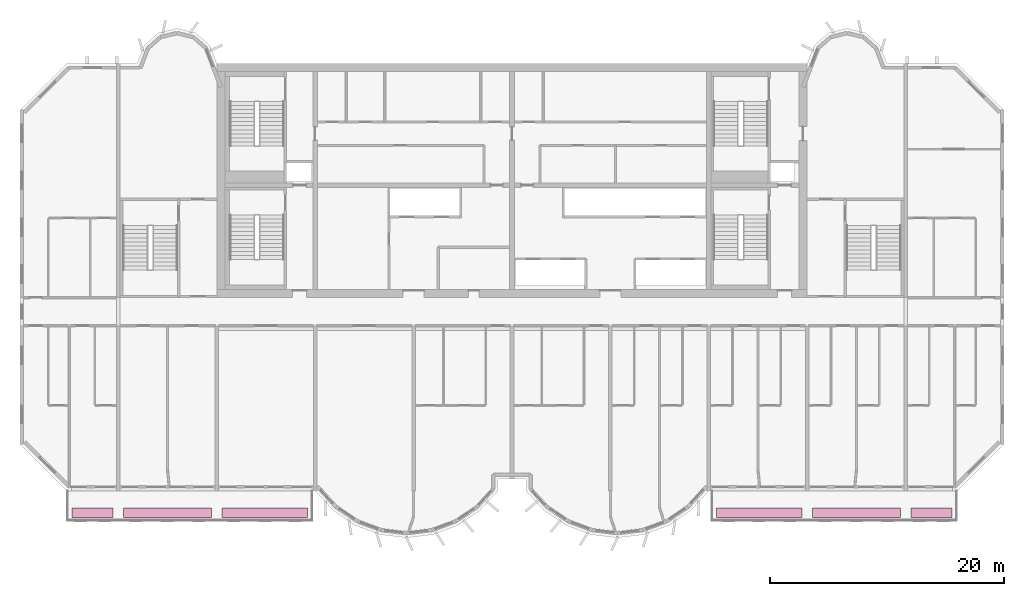
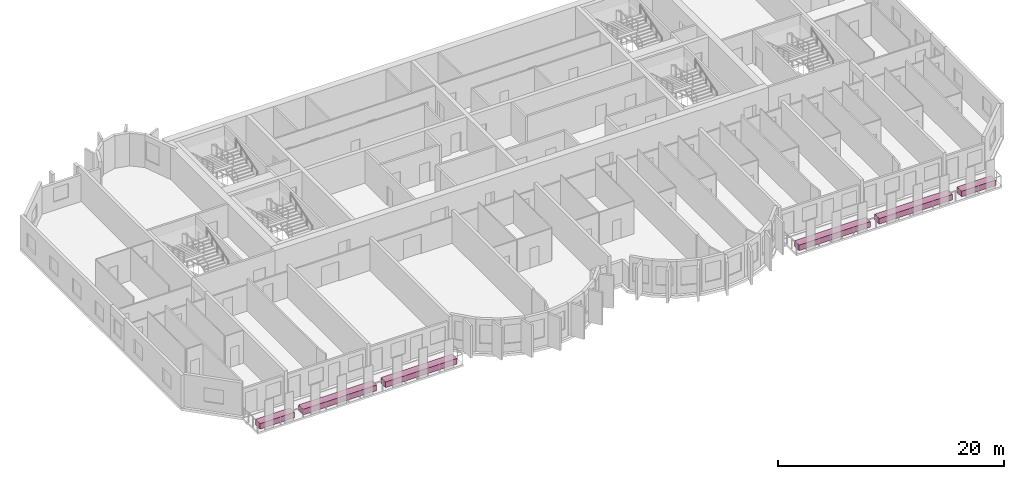
# One storey, part 13 of 13: 6 furniture elements.
"""IFC4 building model written with IfcOpenShell, lengths in metres."""

import ifcopenshell
import ifcopenshell.guid

model = None  # the IFC model being written
_history = None  # IfcOwnerHistory: only IFC2X3 demands one
_inside = {}  # id of a spatial element -> (the spatial element, [elements in it])
_under = {}  # id of a project, library or spatial element -> (it, [spatial elements below it])
_declared = {}  # id of a project -> (the project, [libraries it declares])
_typed = {}  # id of a type object -> (the type object, [elements of that type])
_made_of = {}  # id of a material, layer set ... -> (it, [elements and type objects made of it])


def new_model(schema):
    """Start an empty IFC model of exactly this schema.

    Asked for "IFC4X3", IfcOpenShell would pick the latest addendum, in which some entities
    have other attributes; the version numbers below select the first issue.
    IFC2X3 requires an IfcOwnerHistory on every rooted entity: one is made here for all.
    """
    global model, _history
    if schema == "IFC4X3":
        model = ifcopenshell.file(schema_version=(4, 3, 0, 0))
    else:
        model = ifcopenshell.file(schema=schema)
    _inside.clear()
    _under.clear()
    _declared.clear()
    _typed.clear()
    _made_of.clear()
    _history = None
    if model.schema == "IFC2X3":
        org = make("IfcOrganization", Name="unknown")
        user = make(
            "IfcPersonAndOrganization",
            ThePerson=make("IfcPerson", FamilyName="unknown"),
            TheOrganization=org,
        )
        app = make(
            "IfcApplication",
            ApplicationDeveloper=org,
            Version="unknown",
            ApplicationFullName="unknown",
            ApplicationIdentifier="unknown",
        )
        _history = make(
            "IfcOwnerHistory",
            OwningUser=user,
            OwningApplication=app,
            ChangeAction="ADDED",
            CreationDate=0,
        )
    return model


def make(cls, **values):
    """One entity of the class cls with the attributes given. An attribute that is None is left unset."""
    return model.create_entity(
        cls, **{name: value for name, value in values.items() if value is not None}
    )


def rooted(cls, **values):
    """An entity with a GlobalId (a new one), such as an element, a storey or a relation."""
    return make(cls, GlobalId=ifcopenshell.guid.new(), OwnerHistory=_history, **values)


def si_unit(unit_type, name, prefix=None):
    """IfcSIUnit, for example si_unit("LENGTHUNIT", "METRE", prefix="MILLI")."""
    return make("IfcSIUnit", UnitType=unit_type, Prefix=prefix, Name=name)


def assignment(units):
    """IfcUnitAssignment: the units of a project."""
    return None if units is None else make("IfcUnitAssignment", Units=units)


def point(xyz):
    """IfcCartesianPoint."""
    return None if xyz is None else make("IfcCartesianPoint", Coordinates=xyz)


def direction(xyz):
    """IfcDirection."""
    return None if xyz is None else make("IfcDirection", DirectionRatios=xyz)


def frame(location, z_axis=None, x_axis=None):
    """IfcAxis2Placement3D, a coordinate frame: its origin and axes. An axis left out is left unset."""
    return make(
        "IfcAxis2Placement3D",
        Location=point(location),
        Axis=direction(z_axis),
        RefDirection=direction(x_axis),
    )


def frame_2d(location, x_axis=None):
    """IfcAxis2Placement2D, a coordinate frame in the plane: its origin and x axis."""
    return make(
        "IfcAxis2Placement2D", Location=point(location), RefDirection=direction(x_axis)
    )


def origin():
    """The frame at (0, 0, 0) with its axes left unset."""
    return frame((0.0, 0.0, 0.0))


def origin_2d():
    """The frame at (0, 0) in the plane with its x axis left unset."""
    return frame_2d((0.0, 0.0))


def place(relative_to, where):
    """IfcLocalPlacement: puts the frame where relative to a parent placement (None: the world)."""
    return make(
        "IfcLocalPlacement", PlacementRelTo=relative_to, RelativePlacement=where
    )


def context(
    kind, dimensions, precision=None, world=None, true_north=None, identifier=None
):
    """IfcGeometricRepresentationContext, for example the 3D "Model" context."""
    return make(
        "IfcGeometricRepresentationContext",
        ContextIdentifier=identifier,
        ContextType=kind,
        CoordinateSpaceDimension=dimensions,
        Precision=precision,
        WorldCoordinateSystem=world,
        TrueNorth=true_north,
    )


def subcontext(parent, identifier, kind, view, scale=None):
    """IfcGeometricRepresentationSubContext, for example "Body" below "Model"."""
    return make(
        "IfcGeometricRepresentationSubContext",
        ContextIdentifier=identifier,
        ContextType=kind,
        ParentContext=parent,
        TargetScale=scale,
        TargetView=view,
    )


def project(units=None, contexts=None):
    """IfcProject with its units and contexts."""
    return rooted(
        "IfcProject",
        Name="project",
        RepresentationContexts=contexts,
        UnitsInContext=assignment(units),
    )


def spatial(cls, under=None, at=None, **own):
    """A site, building, storey or space (cls), placed at a placement, below another one or the project."""
    s = rooted(cls, ObjectPlacement=at, **own)
    if under is not None:
        _under.setdefault(under.id(), (under, []))[1].append(s)
    return s


def profile(cls, at=None, kind="AREA", **sizes):
    """A parametric profile (cls). Its sizes go by their IFC names, for example OverallWidth=200.0."""
    return make(cls, ProfileType=kind, Position=at, **sizes)


def rectangle(**sizes):
    """IfcRectangleProfileDef."""
    return profile("IfcRectangleProfileDef", **sizes)


def extrude(swept, where, along, depth):
    """IfcExtrudedAreaSolid: the profile swept, set in the frame where, extruded along a direction by depth."""
    return make(
        "IfcExtrudedAreaSolid",
        SweptArea=swept,
        Position=where,
        ExtrudedDirection=direction(along),
        Depth=depth,
    )


def shape(context_of_items, identifier, shape_type, items):
    """IfcShapeRepresentation: the items that make up one representation, for example the "Body"."""
    return make(
        "IfcShapeRepresentation",
        ContextOfItems=context_of_items,
        RepresentationIdentifier=identifier,
        RepresentationType=shape_type,
        Items=items,
    )


def source(mapping_origin, context_of_items, identifier, shape_type, items):
    """IfcRepresentationMap: a shape defined once, which mapped items show again and again."""
    return make(
        "IfcRepresentationMap",
        MappingOrigin=mapping_origin,
        MappedRepresentation=shape(context_of_items, identifier, shape_type, items),
    )


def transform(
    local_origin,
    x_axis=None,
    y_axis=None,
    z_axis=None,
    scale=None,
    scale2=None,
    scale3=None,
    uniform=True,
):
    """IfcCartesianTransformationOperator3D, or its non-uniform kind. x_axis, y_axis, z_axis: its Axis1, 2, 3."""
    if uniform:
        return make(
            "IfcCartesianTransformationOperator3D",
            Axis1=direction(x_axis),
            Axis2=direction(y_axis),
            LocalOrigin=point(local_origin),
            Scale=scale,
            Axis3=direction(z_axis),
        )
    return make(
        "IfcCartesianTransformationOperator3DnonUniform",
        Axis1=direction(x_axis),
        Axis2=direction(y_axis),
        LocalOrigin=point(local_origin),
        Scale=scale,
        Axis3=direction(z_axis),
        Scale2=scale2,
        Scale3=scale3,
    )


def mapped(mapping_source, mapping_target):
    """IfcMappedItem: shows the shape of a source again, moved by a transform."""
    return make(
        "IfcMappedItem", MappingSource=mapping_source, MappingTarget=mapping_target
    )


def material(Name=None, Category=None):
    """IfcMaterial."""
    return make("IfcMaterial", Name=Name, Category=Category)


def made_of(thing, what):
    """Note that an element or type object is made of a material, layer set ...; save() writes the relation."""
    if what is not None:
        _made_of.setdefault(what.id(), (what, []))[1].append(thing)
    return thing


def type_object(cls, material=None, **own):
    """A type object (cls), such as IfcWallType, which elements share."""
    return made_of(rooted(cls, **own), material)


def element(
    cls,
    number,
    at=None,
    inside=None,
    cuts=None,
    type_object=None,
    material=None,
    context=None,
    identifier="Body",
    shape_type=None,
    held_by="IfcProductDefinitionShape",
    body=None,
    shapes=None,
    **own,
):
    """One element of the class cls, such as IfcWall. Its Tag is "e" and its number.

    at: its placement. inside: the storey or other place that contains it. cuts: it is an
    opening in that element (IfcRelVoidsElement). A single representation is given by context,
    identifier, shape_type and body (its items); several are given by shapes. held_by: the class
    of the entity that holds the representations. save() writes the other relations.
    """
    e = rooted(cls, Tag="e%d" % number, ObjectPlacement=at, **own)
    if body is not None:
        shapes = [shape(context, identifier, shape_type, body)]
    if shapes is not None:
        e.Representation = make(held_by, Representations=shapes)
    if inside is not None:
        _inside.setdefault(inside.id(), (inside, []))[1].append(e)
    if cuts is not None:
        rooted(
            "IfcRelVoidsElement", RelatingBuildingElement=cuts, RelatedOpeningElement=e
        )
    if type_object is not None:
        _typed.setdefault(type_object.id(), (type_object, []))[1].append(e)
    return made_of(e, material)


def aggregate(whole, parts):
    """IfcRelAggregates: a whole, such as a stair, and the parts it consists of."""
    return rooted("IfcRelAggregates", RelatingObject=whole, RelatedObjects=parts)


def save(model, path):
    """Write the relations noted so far, then the file.

    IfcRelAggregates (storeys below a building ...), IfcRelContainedInSpatialStructure (elements
    in a storey), IfcRelDefinesByType, IfcRelAssociatesMaterial and IfcRelDeclares: one each for
    every whole, place, type object, material and project.
    """
    for whole, parts in _under.values():
        aggregate(whole, parts)
    for where, things in _inside.values():
        rooted(
            "IfcRelContainedInSpatialStructure",
            RelatedElements=things,
            RelatingStructure=where,
        )
    for kind, things in _typed.values():
        rooted("IfcRelDefinesByType", RelatedObjects=things, RelatingType=kind)
    for what, things in _made_of.values():
        rooted("IfcRelAssociatesMaterial", RelatedObjects=things, RelatingMaterial=what)
    for by, libraries in _declared.values():
        rooted("IfcRelDeclares", RelatingContext=by, RelatedDefinitions=libraries)
    model.write(path)


model = new_model("IFC4")

# Units and contexts
model_context = context("Model", 3, precision=1e-05, world=origin(), true_north=direction((0.0, 1.0)))
body_context = subcontext(model_context, "Body", "Model", "MODEL_VIEW")
ifc_project = project(units=[si_unit("LENGTHUNIT", "METRE"), si_unit("AREAUNIT", "SQUARE_METRE"), si_unit("VOLUMEUNIT", "CUBIC_METRE"), si_unit("PLANEANGLEUNIT", "RADIAN"), si_unit("MASSUNIT", "GRAM", prefix="KILO")], contexts=[model_context])

# Site, building, storey
site_placement = place(None, origin())
site = spatial("IfcSite", under=ifc_project, at=site_placement, CompositionType="ELEMENT")
building_placement = place(site_placement, origin())
building = spatial("IfcBuilding", under=site, at=building_placement, Name="Vanashikhar Sky Hotel", CompositionType="ELEMENT")
storey_placement = place(building_placement, frame((0.0, 0.0, 197.199951171875)))
storey = spatial("IfcBuildingStorey", under=building, at=storey_placement, Name="L48", CompositionType="ELEMENT", Elevation=197.199951171875)

# Furniture
ifc_material = material(Name="Planting soil and shrubs")
furniture_type = type_object("IfcFurnitureType", Name="Planter trough", AssemblyPlace="NOTDEFINED", PredefinedType="USERDEFINED", material=ifc_material)
shared_shape_1 = source(origin(), body_context, "Body", "SweptSolid", [
    extrude(rectangle(XDim=3.5, YDim=0.800048828125, at=origin_2d()), origin(), (0.0, 0.0, 1.0), 0.60009765625),
])
for number, where, z_axis, x_axis, name in (
    (1, (14.60009765625, 3.64990234375, -0.050048828125), (0.0, 0.0, 1.0), (1.0, 0.0, 0.0), "PLANTER with climbers"),
    (2, (86.199951171875, 3.64990234375, -0.050048828125), (0.0, 0.0, 1.0), (1.0, 0.0, 0.0), "PLANTER with climbers"),
):
    element("IfcFurniture", number, at=place(storey_placement, frame(where, z_axis=z_axis, x_axis=x_axis)), inside=storey, type_object=furniture_type, Name=name, ObjectType="PLANTER", PredefinedType="USERDEFINED", context=body_context, shape_type="MappedRepresentation", body=[
        mapped(shared_shape_1, transform((0.0, 0.0, 0.0), scale=1.0)),
    ])
shared_shape_2 = source(origin(), body_context, "Body", "SweptSolid", [
    extrude(rectangle(XDim=7.5, YDim=0.800048828125, at=origin_2d()), origin(), (0.0, 0.0, 1.0), 0.60009765625),
])
for number, where, z_axis, x_axis, name in (
    (3, (21.0, 3.64990234375, -0.050048828125), (0.0, 0.0, 1.0), (1.0, 0.0, 0.0), "PLANTER with climbers"),
    (4, (79.800048828125, 3.64990234375, -0.050048828125), (0.0, 0.0, 1.0), (1.0, 0.0, 0.0), "PLANTER with climbers"),
):
    element("IfcFurniture", number, at=place(storey_placement, frame(where, z_axis=z_axis, x_axis=x_axis)), inside=storey, type_object=furniture_type, Name=name, ObjectType="PLANTER", PredefinedType="USERDEFINED", context=body_context, shape_type="MappedRepresentation", body=[
        mapped(shared_shape_2, transform((0.0, 0.0, 0.0), scale=1.0)),
    ])
shared_shape_3 = source(origin(), body_context, "Body", "SweptSolid", [
    extrude(rectangle(XDim=7.300048828125, YDim=0.800048828125, at=origin_2d()), origin(), (0.0, 0.0, 1.0), 0.60009765625),
])
for number, where, z_axis, x_axis, name in (
    (5, (29.300048828125, 3.64990234375, -0.050048828125), (0.0, 0.0, 1.0), (1.0, 0.0, 0.0), "PLANTER with climbers"),
    (6, (71.5, 3.64990234375, -0.050048828125), (0.0, 0.0, 1.0), (1.0, 0.0, 0.0), "PLANTER with climbers"),
):
    element("IfcFurniture", number, at=place(storey_placement, frame(where, z_axis=z_axis, x_axis=x_axis)), inside=storey, type_object=furniture_type, Name=name, ObjectType="PLANTER", PredefinedType="USERDEFINED", context=body_context, shape_type="MappedRepresentation", body=[
        mapped(shared_shape_3, transform((0.0, 0.0, 0.0), scale=1.0)),
    ])

save(model, "model.ifc")
